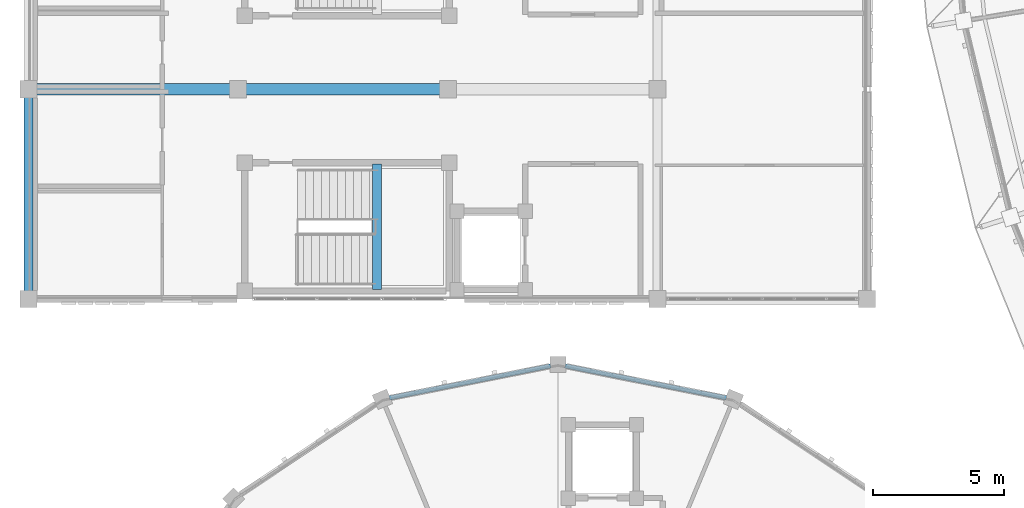
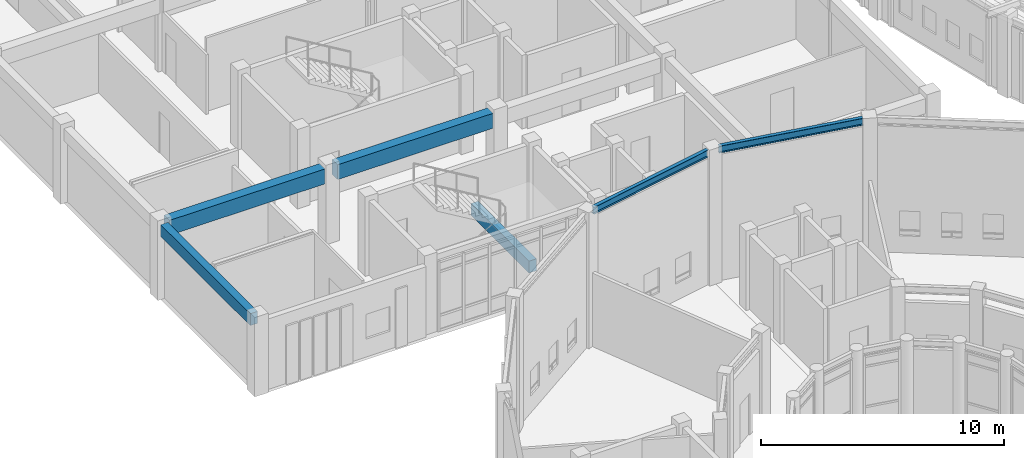
# One storey, part 21 of 149: 6 beams.
"""IFC4 building model written with IfcOpenShell, lengths in metres."""

from ifc_helpers import new_model, si_unit, direction, frame, origin, origin_2d, place, context, subcontext, project, spatial, rectangle, i_section, extrude, material, material_profile, profile_set, type_object, element, save


model = new_model("IFC4")

# Units and contexts
model_context = context("Model", 3, precision=1e-05, world=origin(), true_north=direction((0.0, 1.0)))
body_context = subcontext(model_context, "Body", "Model", "MODEL_VIEW")
ifc_project = project(units=[si_unit("LENGTHUNIT", "METRE"), si_unit("AREAUNIT", "SQUARE_METRE"), si_unit("VOLUMEUNIT", "CUBIC_METRE"), si_unit("PLANEANGLEUNIT", "RADIAN"), si_unit("MASSUNIT", "GRAM", prefix="KILO")], contexts=[model_context])

# Site, building, storey
site_placement = place(None, origin())
site = spatial("IfcSite", under=ifc_project, at=site_placement, CompositionType="ELEMENT")
building_placement = place(site_placement, origin())
building = spatial("IfcBuilding", under=site, at=building_placement, Name="Celadon Cloister-Ring School", CompositionType="ELEMENT")
storey_placement = place(building_placement, frame((0.0, 0.0, 12.5)))
storey = spatial("IfcBuildingStorey", under=building, at=storey_placement, Name="L03", CompositionType="ELEMENT", Elevation=12.5)

# Beams
ifc_material_1 = material(Name="Concrete C35/45", Category="concrete")
ifc_material_profile_1 = material_profile(ifc_material_1, rectangle(XDim=0.35009765625, YDim=0.60009765625, at=origin_2d()), Name="RC350X600")
ifc_profile_set_1 = profile_set([ifc_material_profile_1], Name="Concrete C35/45")
beam_type_1 = type_object("IfcBeamType", Name="BT-02", PredefinedType="BEAM", material=ifc_profile_set_1)
beam_1_placement = place(storey_placement, frame((0.0, 40.300048828125, 3.4599609375), z_axis=(0.0, 1.0, 0.0), x_axis=(-1.0, 0.0, 0.0)))
element("IfcBeam", 1, at=beam_1_placement, inside=storey, type_object=beam_type_1, Name="Beam 1620", PredefinedType="BEAM", context=body_context, shape_type="SweptSolid", body=[
    extrude(rectangle(XDim=0.35009765625, YDim=0.60009765625, at=origin_2d()), origin(), (0.0, 0.0, 1.0), 7.39990234375),
])
beam_2_placement = place(storey_placement, frame((13.300048828125, 40.35009765625, 1.419921875), z_axis=(0.0, 1.0, 0.0), x_axis=(-1.0, 0.0, 0.0)))
element("IfcBeam", 2, at=beam_2_placement, inside=storey, type_object=beam_type_1, Name="Stair Landing Beam 1724", PredefinedType="BEAM", context=body_context, shape_type="SweptSolid", body=[
    extrude(rectangle(XDim=0.35009765625, YDim=0.60009765625, at=origin_2d()), origin(), (0.0, 0.0, 1.0), 4.7998046875),
])
ifc_material_2 = material(Name="Concrete C35/45", Category="concrete")
ifc_material_profile_2 = material_profile(ifc_material_2, rectangle(XDim=0.449951171875, YDim=0.75, at=origin_2d()), Name="RC450X750")
ifc_profile_set_2 = profile_set([ifc_material_profile_2], Name="Concrete C35/45")
beam_type_2 = type_object("IfcBeamType", Name="GT-02", PredefinedType="USERDEFINED", material=ifc_profile_set_2)
for number, where, z_axis, x_axis, name in (
    (3, (0.300048828125, 48.0, 3.385009765625), (1.0, 0.0, 0.0), (0.0, 1.0, 0.0), "Beam 1604"),
    (4, (8.300048828125, 48.0, 3.385009765625), (1.0, 0.0, 0.0), (0.0, 1.0, 0.0), "Beam 1605"),
):
    element("IfcBeam", number, at=place(storey_placement, frame(where, z_axis=z_axis, x_axis=x_axis)), inside=storey, type_object=beam_type_2, Name=name, ObjectType="GIRDER", PredefinedType="USERDEFINED", context=body_context, shape_type="SweptSolid", body=[
        extrude(rectangle(XDim=0.449951171875, YDim=0.75, at=origin_2d()), origin(), (0.0, 0.0, 1.0), 7.39990234375),
    ])
ifc_material_3 = material(Name="Structural steel S355JR", Category="steel")
ifc_material_profile_3 = material_profile(ifc_material_3, i_section(OverallWidth=0.1708984375, OverallDepth=0.35498046875, WebThickness=0.007080078125, FlangeThickness=0.01171875, at=origin_2d()), Name="W360X51")
ifc_profile_set_3 = profile_set([ifc_material_profile_3], Name="Structural steel S355JR")
beam_type_3 = type_object("IfcBeamType", Name="SP-04", PredefinedType="SPANDREL", material=ifc_profile_set_3)
for number, where, z_axis, x_axis, name in (
    (5, (26.626953125, 36.221923828125, 6.572998046875), (-0.980802920261, 0.195001619501, 0.0), (-0.195001619501, -0.980802920261, 0.0), "Beam 1080"),
    (6, (19.929931640625, 37.446044921875, 6.572998046875), (-0.980802920261, -0.195001619501, 0.0), (0.195001619501, -0.980802920261, 0.0), "Beam 1082"),
):
    element("IfcBeam", number, at=place(storey_placement, frame(where, z_axis=z_axis, x_axis=x_axis)), inside=storey, type_object=beam_type_3, Name=name, PredefinedType="SPANDREL", context=body_context, shape_type="SweptSolid", body=[
        extrude(i_section(OverallWidth=0.1708984375, OverallDepth=0.35498046875, WebThickness=0.007080078125, FlangeThickness=0.01171875, at=origin_2d()), origin(), (0.0, 0.0, 1.0), 6.277587890625),
    ])

save(model, "model.ifc")
